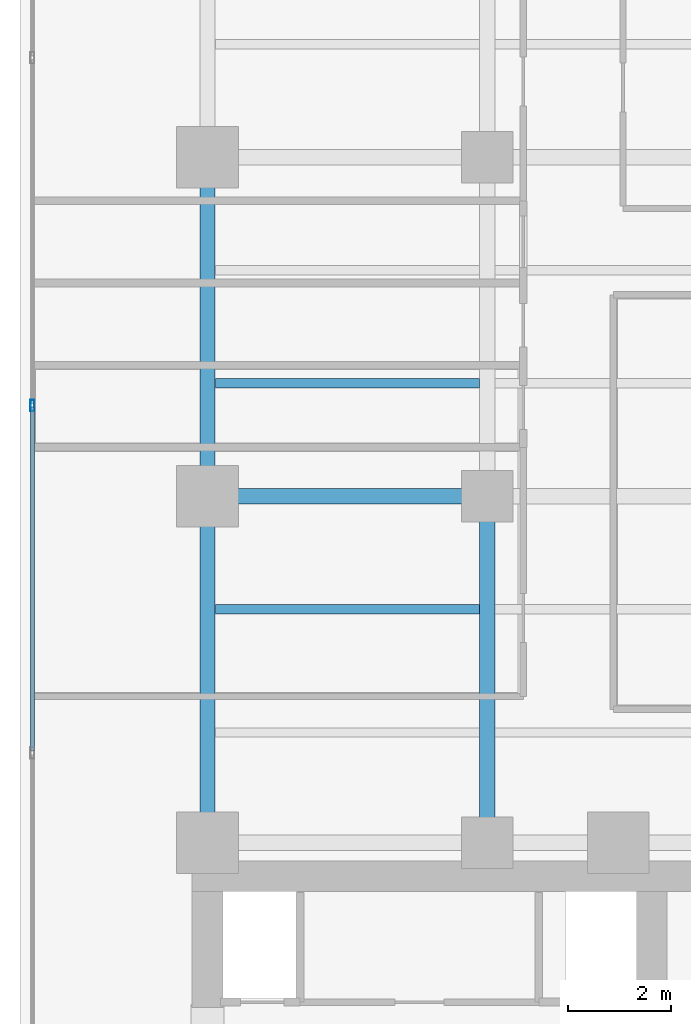
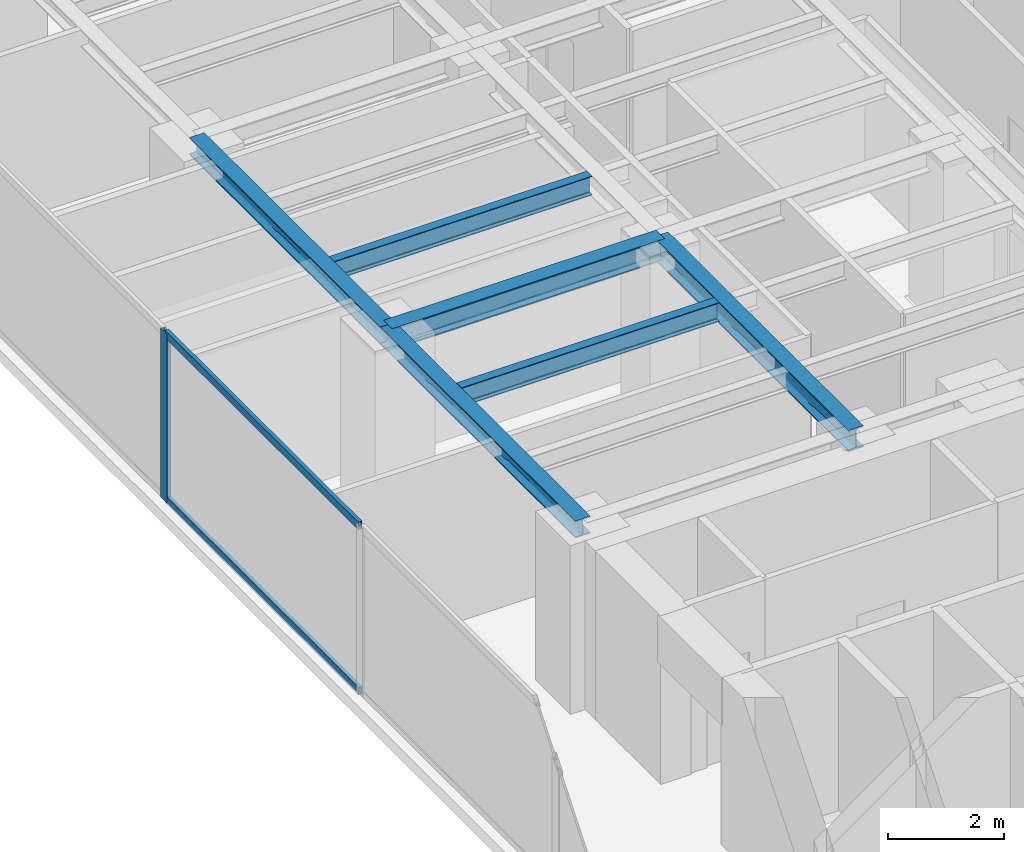
# One storey, part 7 of 24: 6 beams, 3 members, 1 element without a shape of its own.
"""IFC4 building model written with IfcOpenShell, lengths in metres."""

from ifc_helpers import new_model, si_unit, direction, frame, origin, origin_with_axes, origin_2d, place, context, subcontext, project, spatial, hollow_rectangle, i_section, extrude, source, transform, mapped, material, layer, layer_set, material_profile, profile_set, type_object, element, aggregate, save


model = new_model("IFC4")

# Units and contexts
model_context = context("Model", 3, precision=1e-05, world=origin(), true_north=direction((0.0, 1.0)))
body_context = subcontext(model_context, "Body", "Model", "MODEL_VIEW")
ifc_project = project(units=[si_unit("LENGTHUNIT", "METRE"), si_unit("AREAUNIT", "SQUARE_METRE"), si_unit("VOLUMEUNIT", "CUBIC_METRE"), si_unit("PLANEANGLEUNIT", "RADIAN"), si_unit("MASSUNIT", "GRAM", prefix="KILO")], contexts=[model_context])

# Site, building, storey
site_placement = place(None, origin())
site = spatial("IfcSite", under=ifc_project, at=site_placement, CompositionType="ELEMENT")
building_placement = place(site_placement, origin())
building = spatial("IfcBuilding", under=site, at=building_placement, Name="Kolvaren Waterfront Exchange", CompositionType="ELEMENT")
storey_placement = place(building_placement, frame((0.0, 0.0, 157.60009765625)))
storey = spatial("IfcBuildingStorey", under=building, at=storey_placement, Name="L40", CompositionType="ELEMENT", Elevation=157.60009765625)

# Beams
ifc_material_1 = material(Name="Steel S355", Category="steel")
ifc_material_profile_1 = material_profile(ifc_material_1, i_section(OverallWidth=0.300048828125, OverallDepth=0.360107421875, WebThickness=0.012451171875, FlangeThickness=0.0224609375, FilletRadius=0.027099609375, at=origin_2d()), Name="HEB360")
ifc_profile_set_1 = profile_set([ifc_material_profile_1], Name="Steel S355")
beam_type_1 = type_object("IfcBeamType", Name="STR-BM-HEB360", PredefinedType="SPANDREL", material=ifc_profile_set_1)
beam_1_placement = place(storey_placement, frame((7.449951171875, 24.449951171875, 3.3798828125), z_axis=(0.0, 1.0, 0.0), x_axis=(-1.0, 0.0, 0.0)))
element("IfcBeam", 1, at=beam_1_placement, inside=storey, type_object=beam_type_1, Name="L40 north-arm edge beam 1", PredefinedType="SPANDREL", context=body_context, shape_type="SweptSolid", body=[
    extrude(i_section(OverallWidth=0.300048828125, OverallDepth=0.360107421875, WebThickness=0.012451171875, FlangeThickness=0.0224609375, FilletRadius=0.027099609375, at=origin_2d()), origin(), (0.0, 0.0, 1.0), 6.75),
])
beam_2_placement = place(storey_placement, frame((7.449951171875, 31.199951171875, 3.3798828125), z_axis=(0.0, 1.0, 0.0), x_axis=(-1.0, 0.0, 0.0)))
element("IfcBeam", 2, at=beam_2_placement, inside=storey, type_object=beam_type_1, Name="L40 north-arm edge beam 2", PredefinedType="SPANDREL", context=body_context, shape_type="SweptSolid", body=[
    extrude(i_section(OverallWidth=0.300048828125, OverallDepth=0.360107421875, WebThickness=0.012451171875, FlangeThickness=0.0224609375, FilletRadius=0.027099609375, at=origin_2d()), origin(), (0.0, 0.0, 1.0), 6.60009765625),
])
ifc_material_profile_2 = material_profile(ifc_material_1, i_section(OverallWidth=0.300048828125, OverallDepth=0.449951171875, WebThickness=0.013916015625, FlangeThickness=0.02587890625, FilletRadius=0.027099609375, at=origin_2d()), Name="HEB450")
ifc_profile_set_2 = profile_set([ifc_material_profile_2], Name="Steel S355")
beam_type_2 = type_object("IfcBeamType", Name="STR-BM-HEB450", PredefinedType="BEAM", material=ifc_profile_set_2)
beam_3_placement = place(storey_placement, frame((7.449951171875, 31.199951171875, 3.3349609375), z_axis=(1.0, 0.0, 0.0), x_axis=(0.0, 1.0, 0.0)))
element("IfcBeam", 3, at=beam_3_placement, inside=storey, type_object=beam_type_2, Name="L40 north-arm girder 2A", PredefinedType="BEAM", context=body_context, shape_type="SweptSolid", body=[
    extrude(i_section(OverallWidth=0.300048828125, OverallDepth=0.449951171875, WebThickness=0.013916015625, FlangeThickness=0.02587890625, FilletRadius=0.027099609375, at=origin_2d()), origin(), (0.0, 0.0, 1.0), 5.449951171875),
])
beam_4_placement = place(storey_placement, frame((12.89990234375, 24.449951171875, 3.3349609375), z_axis=(0.0, 1.0, 0.0), x_axis=(-1.0, 0.0, 0.0)))
element("IfcBeam", 4, at=beam_4_placement, inside=storey, type_object=beam_type_2, Name="L40 north-arm edge beam 1", PredefinedType="BEAM", context=body_context, shape_type="SweptSolid", body=[
    extrude(i_section(OverallWidth=0.300048828125, OverallDepth=0.449951171875, WebThickness=0.013916015625, FlangeThickness=0.02587890625, FilletRadius=0.027099609375, at=origin_2d()), origin(), (0.0, 0.0, 1.0), 6.75),
])
ifc_material_profile_3 = material_profile(ifc_material_1, i_section(OverallWidth=0.179931640625, OverallDepth=0.39990234375, WebThickness=0.008544921875, FlangeThickness=0.013427734375, FilletRadius=0.02099609375, at=origin_2d()), Name="IPE400")
ifc_profile_set_3 = profile_set([ifc_material_profile_3], Name="Steel S355")
beam_type_3 = type_object("IfcBeamType", Name="STR-BM-IPE400", PredefinedType="JOIST", material=ifc_profile_set_3)
for number, where, z_axis, x_axis, name in (
    (5, (7.60205078125, 29.0, 3.35986328125), (1.0, 0.0, 0.0), (0.0, 1.0, 0.0), "L40 north-arm composite joist 2A"),
    (6, (7.60205078125, 33.39990234375, 3.35986328125), (1.0, 0.0, 0.0), (0.0, 1.0, 0.0), "L40 north-arm composite joist 3A"),
):
    element("IfcBeam", number, at=place(storey_placement, frame(where, z_axis=z_axis, x_axis=x_axis)), inside=storey, type_object=beam_type_3, Name=name, PredefinedType="JOIST", context=body_context, shape_type="SweptSolid", body=[
        extrude(i_section(OverallWidth=0.179931640625, OverallDepth=0.39990234375, WebThickness=0.008544921875, FlangeThickness=0.013427734375, FilletRadius=0.02099609375, at=origin_2d()), origin(), (0.0, 0.0, 1.0), 5.14599609375),
    ])

# Curtain wall, members
ifc_material_2 = material(Name="Anodised aluminium 6063-T6", Category="aluminium")
ifc_layer = layer(ifc_material_2, 0.219970703125, Name="Anodised aluminium 6063-T6")
ifc_layer_set = layer_set([ifc_layer], Name="Anodised aluminium 6063-T6")
curtain_wall_type = type_object("IfcCurtainWallType", Name="ARC-CW-SYS2", PredefinedType="USERDEFINED", material=ifc_layer_set)
curtain_wall_placement = place(storey_placement, origin())
curtain_wall = element("IfcCurtainWall", 7, at=curtain_wall_placement, inside=storey, type_object=curtain_wall_type, Name="L40 stick curtain wall CW2 (CW-L40-W)", ObjectType="STICK CURTAIN WALL", PredefinedType="USERDEFINED")
ifc_material_profile_4 = material_profile(ifc_material_2, hollow_rectangle(XDim=0.074951171875, YDim=0.159912109375, WallThickness=0.00439453125, at=origin_2d()), Name="ALU-TRN-160x75x4.5")
ifc_profile_set_4 = profile_set([ifc_material_profile_4], Name="Anodised aluminium 6063-T6")
member_type_1 = type_object("IfcMemberType", Name="ARC-CWT-160", PredefinedType="USERDEFINED", material=ifc_profile_set_4)
shared_shape_1 = source(origin_with_axes(), body_context, "Body", "SweptSolid", [
    extrude(hollow_rectangle(XDim=0.074951171875, YDim=0.159912109375, WallThickness=0.00439453125, at=origin_2d()), origin(), (0.0, 0.0, 1.0), 6.686767578125),
])
member_1_placement = place(storey_placement, frame((4.0400390625, 26.239990234375, 0.037353515625), z_axis=(0.0, 1.0, 0.0), x_axis=(-1.0, 0.0, 0.0)))
member_1 = element("IfcMember", 8, at=member_1_placement, type_object=member_type_1, Name="CW2 transom 4.1", ObjectType="TRANSOM", PredefinedType="USERDEFINED", context=body_context, shape_type="MappedRepresentation", body=[
    mapped(shared_shape_1, transform((0.0, 0.0, 0.0), x_axis=(1.0, 0.0, 0.0), y_axis=(0.0, 1.0, 0.0), z_axis=(0.0, 0.0, 1.0), scale=1.0)),
])
member_2_placement = place(storey_placement, frame((4.0400390625, 26.239990234375, 3.5224609375), z_axis=(0.0, 1.0, 0.0), x_axis=(-1.0, 0.0, 0.0)))
member_2 = element("IfcMember", 9, at=member_2_placement, type_object=member_type_1, Name="CW2 transom 4.2", ObjectType="TRANSOM", PredefinedType="USERDEFINED", context=body_context, shape_type="MappedRepresentation", body=[
    mapped(shared_shape_1, transform((0.0, 0.0, 0.0), x_axis=(1.0, 0.0, 0.0), y_axis=(0.0, 1.0, 0.0), z_axis=(0.0, 0.0, 1.0), scale=1.0)),
])
ifc_material_profile_5 = material_profile(ifc_material_2, hollow_rectangle(XDim=0.080078125, YDim=0.219970703125, WallThickness=0.0048828125, at=origin_2d()), Name="ALU-MUL-220x80x5")
ifc_profile_set_5 = profile_set([ifc_material_profile_5], Name="Anodised aluminium 6063-T6")
member_type_2 = type_object("IfcMemberType", Name="ARC-CWM-220", PredefinedType="MULLION", material=ifc_profile_set_5)
shared_shape_2 = source(origin_with_axes(), body_context, "Body", "SweptSolid", [
    extrude(hollow_rectangle(XDim=0.080078125, YDim=0.219970703125, WallThickness=0.0048828125, at=origin_2d()), origin(), (0.0, 0.0, 1.0), 3.559814453125),
])
member_3_placement = place(storey_placement, frame((4.0400390625, 32.966552734375, 0.0), z_axis=(0.0, 0.0, 1.0), x_axis=(-1.0, 0.0, 0.0)))
member_3 = element("IfcMember", 10, at=member_3_placement, type_object=member_type_2, Name="CW2 mullion 5", PredefinedType="MULLION", context=body_context, shape_type="MappedRepresentation", body=[
    mapped(shared_shape_2, transform((0.0, 0.0, 0.0), x_axis=(1.0, 0.0, 0.0), y_axis=(0.0, 1.0, 0.0), z_axis=(0.0, 0.0, 1.0), scale=1.0)),
])
aggregate(curtain_wall, [member_3, member_1, member_2])

save(model, "model.ifc")
